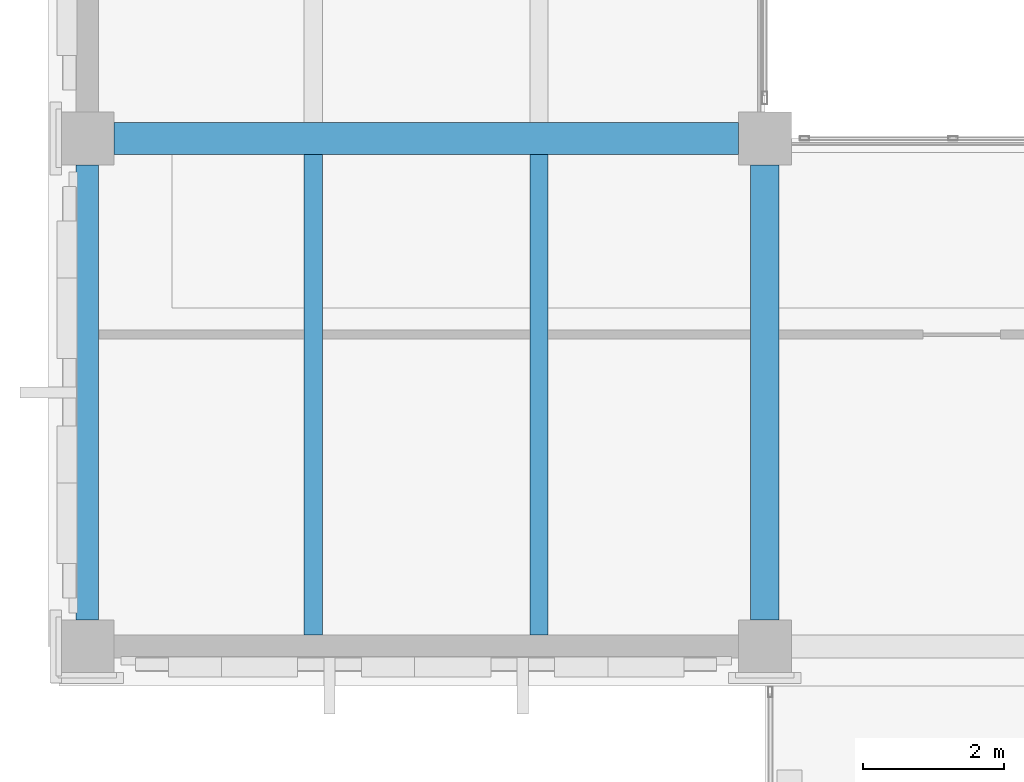
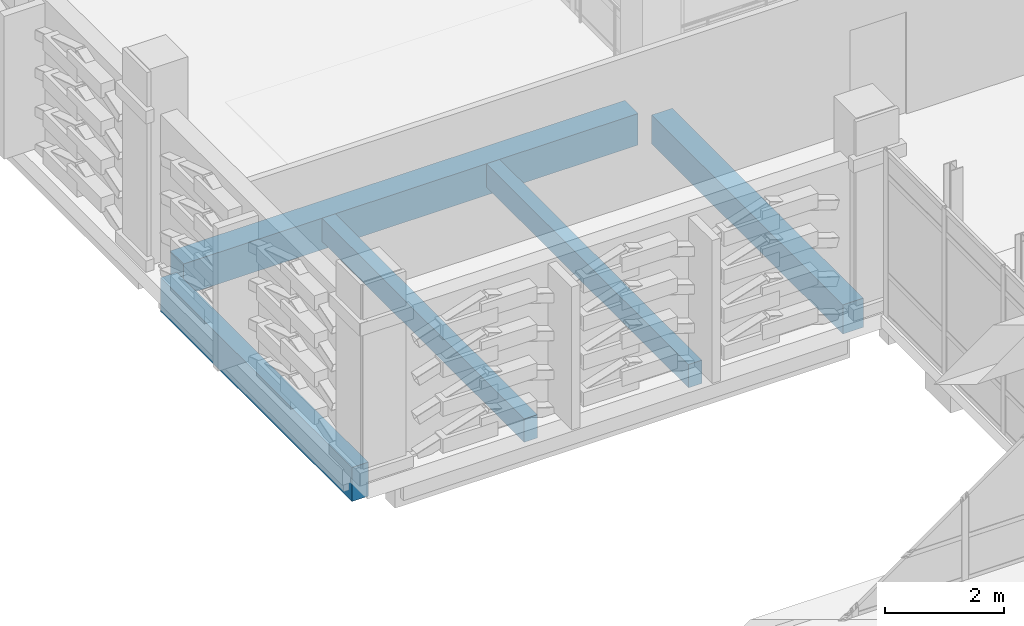
# One storey, part 79 of 180: 5 beams.
"""IFC4 building model written with IfcOpenShell, lengths in metres."""

from ifc_helpers import new_model, si_unit, direction, frame, origin, origin_2d, place, context, subcontext, project, spatial, rectangle, extrude, material, material_profile, profile_set, type_object, element, save


model = new_model("IFC4")

# Units and contexts
model_context = context("Model", 3, precision=1e-05, world=origin(), true_north=direction((0.0, 1.0)))
body_context = subcontext(model_context, "Body", "Model", "MODEL_VIEW")
ifc_project = project(units=[si_unit("LENGTHUNIT", "METRE"), si_unit("AREAUNIT", "SQUARE_METRE"), si_unit("VOLUMEUNIT", "CUBIC_METRE"), si_unit("PLANEANGLEUNIT", "RADIAN"), si_unit("MASSUNIT", "GRAM", prefix="KILO")], contexts=[model_context])

# Site, building, storey
site_placement = place(None, origin())
site = spatial("IfcSite", under=ifc_project, at=site_placement, CompositionType="ELEMENT")
building_placement = place(site_placement, origin())
building = spatial("IfcBuilding", under=site, at=building_placement, Name="Asteropetra Specialist Clinic", CompositionType="ELEMENT")
storey_placement = place(building_placement, frame((0.0, 0.0, 4.419921875)))
storey = spatial("IfcBuildingStorey", under=building, at=storey_placement, Name="L01", CompositionType="ELEMENT", Elevation=4.419921875)

# Beams
ifc_material_1 = material(Name="Concrete C35/45", Category="concrete")
ifc_material_profile_1 = material_profile(ifc_material_1, rectangle(XDim=0.39990234375, YDim=0.60009765625, at=origin_2d()), Name="RCB 400x600")
ifc_profile_set_1 = profile_set([ifc_material_profile_1], Name="Concrete C35/45")
beam_type_1 = type_object("IfcBeamType", Name="BM-RC400x600", PredefinedType="BEAM", material=ifc_profile_set_1)
beam_1_placement = place(storey_placement, frame((9.60009765625, 69.97509765625, -0.579833984375), z_axis=(0.0, 1.0, 0.0), x_axis=(-1.0, 0.0, 0.0)))
element("IfcBeam", 1, at=beam_1_placement, inside=storey, type_object=beam_type_1, Name="Beam BBM08-0671", PredefinedType="BEAM", context=body_context, shape_type="SweptSolid", body=[
    extrude(rectangle(XDim=0.39990234375, YDim=0.60009765625, at=origin_2d()), origin(), (0.0, 0.0, 1.0), 6.449951171875),
])
ifc_material_2 = material(Name="Concrete C35/45", Category="concrete")
ifc_material_profile_2 = material_profile(ifc_material_2, rectangle(XDim=0.449951171875, YDim=0.64990234375, at=origin_2d()), Name="RCB 450x650")
ifc_profile_set_2 = profile_set([ifc_material_profile_2], Name="Concrete C35/45")
beam_type_2 = type_object("IfcBeamType", Name="BM-RC450x650", PredefinedType="BEAM", material=ifc_profile_set_2)
beam_2_placement = place(storey_placement, frame((0.375, 76.800048828125, -0.60498046875), z_axis=(1.0, 0.0, 0.0), x_axis=(0.0, 1.0, 0.0)))
element("IfcBeam", 2, at=beam_2_placement, inside=storey, type_object=beam_type_2, Name="Beam BBM06-0634", PredefinedType="BEAM", context=body_context, shape_type="SweptSolid", body=[
    extrude(rectangle(XDim=0.449951171875, YDim=0.64990234375, at=origin_2d()), origin(), (0.0, 0.0, 1.0), 8.85009765625),
])
ifc_material_3 = material(Name="Concrete C35/45", Category="concrete")
ifc_material_profile_3 = material_profile(ifc_material_3, rectangle(XDim=0.260009765625, YDim=0.47998046875, at=origin_2d()), Name="RCJ 260x480")
ifc_profile_set_3 = profile_set([ifc_material_profile_3], Name="Concrete C35/45")
beam_type_3 = type_object("IfcBeamType", Name="JST-RC260x480", PredefinedType="JOIST", material=ifc_profile_set_3)
for number, where, z_axis, x_axis, name in (
    (3, (3.199951171875, 69.760009765625, -0.52001953125), (0.0, 1.0, 0.0), (-1.0, 0.0, 0.0), "Joist JJST02-0679"),
    (4, (6.39990234375, 69.760009765625, -0.52001953125), (0.0, 1.0, 0.0), (-1.0, 0.0, 0.0), "Joist JJST02-0680"),
):
    element("IfcBeam", number, at=place(storey_placement, frame(where, z_axis=z_axis, x_axis=x_axis)), inside=storey, type_object=beam_type_3, Name=name, PredefinedType="JOIST", context=body_context, shape_type="SweptSolid", body=[
        extrude(rectangle(XDim=0.260009765625, YDim=0.47998046875, at=origin_2d()), origin(), (0.0, 0.0, 1.0), 6.81494140625),
    ])
ifc_material_4 = material(Name="Concrete C35/45", Category="concrete")
ifc_material_profile_4 = material_profile(ifc_material_4, rectangle(XDim=0.320068359375, YDim=0.699951171875, at=origin_2d()), Name="RCS 320x700")
ifc_profile_set_4 = profile_set([ifc_material_profile_4], Name="Concrete C35/45")
beam_type_4 = type_object("IfcBeamType", Name="SPN-RC320x700", PredefinedType="SPANDREL", material=ifc_profile_set_4)
beam_3_placement = place(storey_placement, frame((0.0, 69.97509765625, -0.6298828125), z_axis=(0.0, 1.0, 0.0), x_axis=(-1.0, 0.0, 0.0)))
element("IfcBeam", 5, at=beam_3_placement, inside=storey, type_object=beam_type_4, Name="Beam BSPN02-0670", PredefinedType="SPANDREL", context=body_context, shape_type="SweptSolid", body=[
    extrude(rectangle(XDim=0.320068359375, YDim=0.699951171875, at=origin_2d()), origin(), (0.0, 0.0, 1.0), 6.449951171875),
])

save(model, "model.ifc")
